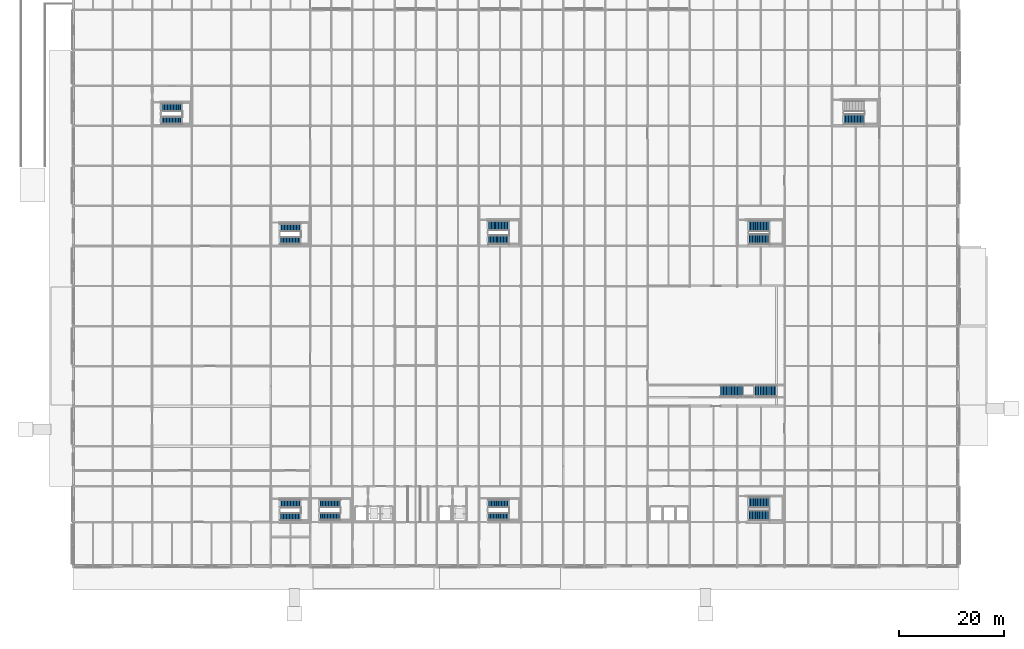
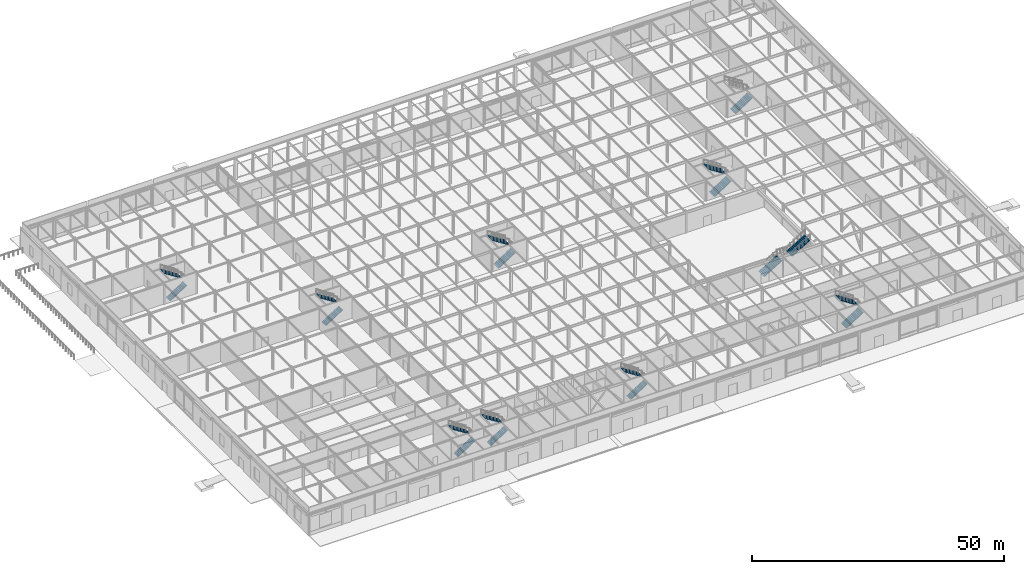
# One storey, part 73 of 89: 19 stair flights, 10 elements without a shape of their own.
"""IFC4 building model written with IfcOpenShell, lengths in metres."""

from ifc_helpers import new_model, si_unit, direction, frame, origin, place, context, subcontext, project, spatial, polyline, outline, extrude, material, type_object, element, aggregate, save


model = new_model("IFC4")

# Units and contexts
model_context = context("Model", 3, precision=1e-05, world=origin(), true_north=direction((0.0, 1.0)))
body_context = subcontext(model_context, "Body", "Model", "MODEL_VIEW")
ifc_project = project(units=[si_unit("LENGTHUNIT", "METRE"), si_unit("AREAUNIT", "SQUARE_METRE"), si_unit("VOLUMEUNIT", "CUBIC_METRE"), si_unit("PLANEANGLEUNIT", "RADIAN"), si_unit("MASSUNIT", "GRAM", prefix="KILO")], contexts=[model_context])

# Site, building, storey
site_placement = place(None, origin())
site = spatial("IfcSite", under=ifc_project, at=site_placement, CompositionType="ELEMENT")
building_placement = place(site_placement, origin())
building = spatial("IfcBuilding", under=site, at=building_placement, Name="Shalkamar Park Central Library", CompositionType="ELEMENT")
storey_placement = place(building_placement, origin())
storey = spatial("IfcBuildingStorey", under=building, at=storey_placement, Name="L01", CompositionType="ELEMENT", Elevation=0.0)

# Stair, stair flights
ifc_material = material(Name="Concrete C35/45", Category="concrete")
stair_type_1 = type_object("IfcStairType", Name="Protected Dog Leg Stair 150x540", PredefinedType="TWO_STRAIGHT_RUN_STAIR", material=ifc_material)
stair_1_placement = place(storey_placement, origin())
stair_1 = element("IfcStair", 1, at=stair_1_placement, inside=storey, type_object=stair_type_1, Name="Protected Core Stair ST-T1-L01", PredefinedType="TWO_STRAIGHT_RUN_STAIR")
stair_flight_type_1 = type_object("IfcStairFlightType", Name="Straight Stair Flight 150x540", PredefinedType="STRAIGHT", material=ifc_material)
stair_flight_1_placement = place(storey_placement, frame((166.6201171875, 249.389892578125, 0.0), z_axis=(0.0, 0.0, 1.0), x_axis=(1.0, 0.0, 0.0)))
stair_flight_1 = element("IfcStairFlight", 2, at=stair_flight_1_placement, type_object=stair_flight_type_1, Name="ST-T1-L01 flight 1", NumberOfRisers=15, NumberOfTreads=14, PredefinedType="STRAIGHT", RiserHeight=0.18, TreadLength=0.28, context=body_context, shape_type="SweptSolid", body=[
    extrude(outline(polyline([(0.0, 0.0), (0.0, 0.179931640625), (0.280029296875, 0.179931640625), (0.280029296875, 0.360107421875), (0.56005859375, 0.360107421875), (0.56005859375, 0.5400390625), (0.840087890625, 0.5400390625), (0.840087890625, 0.719970703125), (1.1201171875, 0.719970703125), (1.1201171875, 0.89990234375), (1.39990234375, 0.89990234375), (1.39990234375, 1.080078125), (1.679931640625, 1.080078125), (1.679931640625, 1.260009765625), (1.9599609375, 1.260009765625), (1.9599609375, 1.43994140625), (2.239990234375, 1.43994140625), (2.239990234375, 1.6201171875), (2.52001953125, 1.6201171875), (2.52001953125, 1.800048828125), (2.800048828125, 1.800048828125), (2.800048828125, 1.97998046875), (3.080078125, 1.97998046875), (3.080078125, 2.159912109375), (3.360107421875, 2.159912109375), (3.360107421875, 2.340087890625), (3.639892578125, 2.340087890625), (3.639892578125, 2.52001953125), (3.919921875, 2.52001953125), (3.919921875, 2.699951171875), (3.919921875, 2.341796875), (0.277099609375, 0.0), (0.0, 0.0)])), frame((0.0, 0.75, 0.0), z_axis=(0.0, -1.0, 0.0), x_axis=(1.0, 0.0, 0.0)), (0.0, 0.0, 1.0), 1.5),
])
stair_flight_2_placement = place(storey_placement, frame((170.719970703125, 251.909912109375, 2.699951171875), z_axis=(0.0, 0.0, 1.0), x_axis=(-1.0, 0.0, 0.0)))
stair_flight_2 = element("IfcStairFlight", 3, at=stair_flight_2_placement, type_object=stair_flight_type_1, Name="ST-T1-L01 flight 2", NumberOfRisers=15, NumberOfTreads=14, PredefinedType="STRAIGHT", RiserHeight=0.18, TreadLength=0.28, context=body_context, shape_type="SweptSolid", body=[
    extrude(outline(polyline([(0.0, 0.0), (0.0, 0.179931640625), (0.280029296875, 0.179931640625), (0.280029296875, 0.360107421875), (0.56005859375, 0.360107421875), (0.56005859375, 0.5400390625), (0.840087890625, 0.5400390625), (0.840087890625, 0.719970703125), (1.1201171875, 0.719970703125), (1.1201171875, 0.89990234375), (1.39990234375, 0.89990234375), (1.39990234375, 1.080078125), (1.679931640625, 1.080078125), (1.679931640625, 1.260009765625), (1.9599609375, 1.260009765625), (1.9599609375, 1.43994140625), (2.239990234375, 1.43994140625), (2.239990234375, 1.6201171875), (2.52001953125, 1.6201171875), (2.52001953125, 1.800048828125), (2.800048828125, 1.800048828125), (2.800048828125, 1.97998046875), (3.080078125, 1.97998046875), (3.080078125, 2.159912109375), (3.360107421875, 2.159912109375), (3.360107421875, 2.340087890625), (3.639892578125, 2.340087890625), (3.639892578125, 2.52001953125), (3.919921875, 2.52001953125), (3.919921875, 2.699951171875), (3.919921875, 2.341796875), (0.277099609375, 0.0), (0.0, 0.0)])), frame((0.0, 0.75, 0.0), z_axis=(0.0, -1.0, 0.0), x_axis=(1.0, 0.0, 0.0)), (0.0, 0.0, 1.0), 1.5),
])
aggregate(stair_1, [stair_flight_1, stair_flight_2])

stair_2_placement = place(storey_placement, origin())
stair_2 = element("IfcStair", 4, at=stair_2_placement, inside=storey, type_object=stair_type_1, Name="Protected Core Stair ST-T2-L01", PredefinedType="TWO_STRAIGHT_RUN_STAIR")
stair_flight_3_placement = place(storey_placement, frame((198.6201171875, 249.389892578125, 0.0), z_axis=(0.0, 0.0, 1.0), x_axis=(1.0, 0.0, 0.0)))
stair_flight_3 = element("IfcStairFlight", 5, at=stair_flight_3_placement, type_object=stair_flight_type_1, Name="ST-T2-L01 flight 1", NumberOfRisers=15, NumberOfTreads=14, PredefinedType="STRAIGHT", RiserHeight=0.18, TreadLength=0.28, context=body_context, shape_type="SweptSolid", body=[
    extrude(outline(polyline([(0.0, 0.0), (0.0, 0.179931640625), (0.280029296875, 0.179931640625), (0.280029296875, 0.360107421875), (0.56005859375, 0.360107421875), (0.56005859375, 0.5400390625), (0.840087890625, 0.5400390625), (0.840087890625, 0.719970703125), (1.1201171875, 0.719970703125), (1.1201171875, 0.89990234375), (1.39990234375, 0.89990234375), (1.39990234375, 1.080078125), (1.679931640625, 1.080078125), (1.679931640625, 1.260009765625), (1.9599609375, 1.260009765625), (1.9599609375, 1.43994140625), (2.239990234375, 1.43994140625), (2.239990234375, 1.6201171875), (2.52001953125, 1.6201171875), (2.52001953125, 1.800048828125), (2.800048828125, 1.800048828125), (2.800048828125, 1.97998046875), (3.080078125, 1.97998046875), (3.080078125, 2.159912109375), (3.360107421875, 2.159912109375), (3.360107421875, 2.340087890625), (3.639892578125, 2.340087890625), (3.639892578125, 2.52001953125), (3.919921875, 2.52001953125), (3.919921875, 2.699951171875), (3.919921875, 2.341796875), (0.277099609375, 0.0), (0.0, 0.0)])), frame((0.0, 0.75, 0.0), z_axis=(0.0, -1.0, 0.0), x_axis=(1.0, 0.0, 0.0)), (0.0, 0.0, 1.0), 1.5),
])
stair_flight_4_placement = place(storey_placement, frame((202.719970703125, 251.909912109375, 2.699951171875), z_axis=(0.0, 0.0, 1.0), x_axis=(-1.0, 0.0, 0.0)))
stair_flight_4 = element("IfcStairFlight", 6, at=stair_flight_4_placement, type_object=stair_flight_type_1, Name="ST-T2-L01 flight 2", NumberOfRisers=15, NumberOfTreads=14, PredefinedType="STRAIGHT", RiserHeight=0.18, TreadLength=0.28, context=body_context, shape_type="SweptSolid", body=[
    extrude(outline(polyline([(0.0, 0.0), (0.0, 0.179931640625), (0.280029296875, 0.179931640625), (0.280029296875, 0.360107421875), (0.56005859375, 0.360107421875), (0.56005859375, 0.5400390625), (0.840087890625, 0.5400390625), (0.840087890625, 0.719970703125), (1.1201171875, 0.719970703125), (1.1201171875, 0.89990234375), (1.39990234375, 0.89990234375), (1.39990234375, 1.080078125), (1.679931640625, 1.080078125), (1.679931640625, 1.260009765625), (1.9599609375, 1.260009765625), (1.9599609375, 1.43994140625), (2.239990234375, 1.43994140625), (2.239990234375, 1.6201171875), (2.52001953125, 1.6201171875), (2.52001953125, 1.800048828125), (2.800048828125, 1.800048828125), (2.800048828125, 1.97998046875), (3.080078125, 1.97998046875), (3.080078125, 2.159912109375), (3.360107421875, 2.159912109375), (3.360107421875, 2.340087890625), (3.639892578125, 2.340087890625), (3.639892578125, 2.52001953125), (3.919921875, 2.52001953125), (3.919921875, 2.699951171875), (3.919921875, 2.341796875), (0.277099609375, 0.0), (0.0, 0.0)])), frame((0.0, 0.75, 0.0), z_axis=(0.0, -1.0, 0.0), x_axis=(1.0, 0.0, 0.0)), (0.0, 0.0, 1.0), 1.5),
])
aggregate(stair_2, [stair_flight_3, stair_flight_4])

stair_3_placement = place(storey_placement, origin())
stair_3 = element("IfcStair", 7, at=stair_3_placement, inside=storey, type_object=stair_type_1, Name="Protected Core Stair ST-P1-L01", PredefinedType="TWO_STRAIGHT_RUN_STAIR")
stair_flight_5_placement = place(storey_placement, frame((159.094970703125, 249.364990234375, 0.0), z_axis=(0.0, 0.0, 1.0), x_axis=(1.0, 0.0, 0.0)))
stair_flight_5 = element("IfcStairFlight", 8, at=stair_flight_5_placement, type_object=stair_flight_type_1, Name="ST-P1-L01 flight 1", NumberOfRisers=15, NumberOfTreads=14, PredefinedType="STRAIGHT", RiserHeight=0.18, TreadLength=0.28, context=body_context, shape_type="SweptSolid", body=[
    extrude(outline(polyline([(0.0, 0.0), (0.0, 0.179931640625), (0.280029296875, 0.179931640625), (0.280029296875, 0.360107421875), (0.56005859375, 0.360107421875), (0.56005859375, 0.5400390625), (0.840087890625, 0.5400390625), (0.840087890625, 0.719970703125), (1.1201171875, 0.719970703125), (1.1201171875, 0.89990234375), (1.39990234375, 0.89990234375), (1.39990234375, 1.080078125), (1.679931640625, 1.080078125), (1.679931640625, 1.260009765625), (1.9599609375, 1.260009765625), (1.9599609375, 1.43994140625), (2.239990234375, 1.43994140625), (2.239990234375, 1.6201171875), (2.52001953125, 1.6201171875), (2.52001953125, 1.800048828125), (2.800048828125, 1.800048828125), (2.800048828125, 1.97998046875), (3.080078125, 1.97998046875), (3.080078125, 2.159912109375), (3.360107421875, 2.159912109375), (3.360107421875, 2.340087890625), (3.639892578125, 2.340087890625), (3.639892578125, 2.52001953125), (3.919921875, 2.52001953125), (3.919921875, 2.699951171875), (3.919921875, 2.341796875), (0.277099609375, 0.0), (0.0, 0.0)])), frame((0.0, 0.75, 0.0), z_axis=(0.0, -1.0, 0.0), x_axis=(1.0, 0.0, 0.0)), (0.0, 0.0, 1.0), 1.5),
])
stair_flight_6_placement = place(storey_placement, frame((163.195068359375, 251.885009765625, 2.699951171875), z_axis=(0.0, 0.0, 1.0), x_axis=(-1.0, 0.0, 0.0)))
stair_flight_6 = element("IfcStairFlight", 9, at=stair_flight_6_placement, type_object=stair_flight_type_1, Name="ST-P1-L01 flight 2", NumberOfRisers=15, NumberOfTreads=14, PredefinedType="STRAIGHT", RiserHeight=0.18, TreadLength=0.28, context=body_context, shape_type="SweptSolid", body=[
    extrude(outline(polyline([(0.0, 0.0), (0.0, 0.179931640625), (0.280029296875, 0.179931640625), (0.280029296875, 0.360107421875), (0.56005859375, 0.360107421875), (0.56005859375, 0.5400390625), (0.840087890625, 0.5400390625), (0.840087890625, 0.719970703125), (1.1201171875, 0.719970703125), (1.1201171875, 0.89990234375), (1.39990234375, 0.89990234375), (1.39990234375, 1.080078125), (1.679931640625, 1.080078125), (1.679931640625, 1.260009765625), (1.9599609375, 1.260009765625), (1.9599609375, 1.43994140625), (2.239990234375, 1.43994140625), (2.239990234375, 1.6201171875), (2.52001953125, 1.6201171875), (2.52001953125, 1.800048828125), (2.800048828125, 1.800048828125), (2.800048828125, 1.97998046875), (3.080078125, 1.97998046875), (3.080078125, 2.159912109375), (3.360107421875, 2.159912109375), (3.360107421875, 2.340087890625), (3.639892578125, 2.340087890625), (3.639892578125, 2.52001953125), (3.919921875, 2.52001953125), (3.919921875, 2.699951171875), (3.919921875, 2.341796875), (0.277099609375, 0.0), (0.0, 0.0)])), frame((0.0, 0.75, 0.0), z_axis=(0.0, -1.0, 0.0), x_axis=(1.0, 0.0, 0.0)), (0.0, 0.0, 1.0), 1.5),
])
aggregate(stair_3, [stair_flight_5, stair_flight_6])

stair_4_placement = place(storey_placement, origin())
stair_4 = element("IfcStair", 10, at=stair_4_placement, inside=storey, type_object=stair_type_1, Name="Protected Core Stair ST-P2-L01", PredefinedType="TWO_STRAIGHT_RUN_STAIR")
stair_flight_7_placement = place(storey_placement, frame((159.094970703125, 301.764892578125, 0.0), z_axis=(0.0, 0.0, 1.0), x_axis=(1.0, 0.0, 0.0)))
stair_flight_7 = element("IfcStairFlight", 11, at=stair_flight_7_placement, type_object=stair_flight_type_1, Name="ST-P2-L01 flight 1", NumberOfRisers=15, NumberOfTreads=14, PredefinedType="STRAIGHT", RiserHeight=0.18, TreadLength=0.28, context=body_context, shape_type="SweptSolid", body=[
    extrude(outline(polyline([(0.0, 0.0), (0.0, 0.179931640625), (0.280029296875, 0.179931640625), (0.280029296875, 0.360107421875), (0.56005859375, 0.360107421875), (0.56005859375, 0.5400390625), (0.840087890625, 0.5400390625), (0.840087890625, 0.719970703125), (1.1201171875, 0.719970703125), (1.1201171875, 0.89990234375), (1.39990234375, 0.89990234375), (1.39990234375, 1.080078125), (1.679931640625, 1.080078125), (1.679931640625, 1.260009765625), (1.9599609375, 1.260009765625), (1.9599609375, 1.43994140625), (2.239990234375, 1.43994140625), (2.239990234375, 1.6201171875), (2.52001953125, 1.6201171875), (2.52001953125, 1.800048828125), (2.800048828125, 1.800048828125), (2.800048828125, 1.97998046875), (3.080078125, 1.97998046875), (3.080078125, 2.159912109375), (3.360107421875, 2.159912109375), (3.360107421875, 2.340087890625), (3.639892578125, 2.340087890625), (3.639892578125, 2.52001953125), (3.919921875, 2.52001953125), (3.919921875, 2.699951171875), (3.919921875, 2.341796875), (0.277099609375, 0.0), (0.0, 0.0)])), frame((0.0, 0.75, 0.0), z_axis=(0.0, -1.0, 0.0), x_axis=(1.0, 0.0, 0.0)), (0.0, 0.0, 1.0), 1.5),
])
stair_flight_8_placement = place(storey_placement, frame((163.195068359375, 304.284912109375, 2.699951171875), z_axis=(0.0, 0.0, 1.0), x_axis=(-1.0, 0.0, 0.0)))
stair_flight_8 = element("IfcStairFlight", 12, at=stair_flight_8_placement, type_object=stair_flight_type_1, Name="ST-P2-L01 flight 2", NumberOfRisers=15, NumberOfTreads=14, PredefinedType="STRAIGHT", RiserHeight=0.18, TreadLength=0.28, context=body_context, shape_type="SweptSolid", body=[
    extrude(outline(polyline([(0.0, 0.0), (0.0, 0.179931640625), (0.280029296875, 0.179931640625), (0.280029296875, 0.360107421875), (0.56005859375, 0.360107421875), (0.56005859375, 0.5400390625), (0.840087890625, 0.5400390625), (0.840087890625, 0.719970703125), (1.1201171875, 0.719970703125), (1.1201171875, 0.89990234375), (1.39990234375, 0.89990234375), (1.39990234375, 1.080078125), (1.679931640625, 1.080078125), (1.679931640625, 1.260009765625), (1.9599609375, 1.260009765625), (1.9599609375, 1.43994140625), (2.239990234375, 1.43994140625), (2.239990234375, 1.6201171875), (2.52001953125, 1.6201171875), (2.52001953125, 1.800048828125), (2.800048828125, 1.800048828125), (2.800048828125, 1.97998046875), (3.080078125, 1.97998046875), (3.080078125, 2.159912109375), (3.360107421875, 2.159912109375), (3.360107421875, 2.340087890625), (3.639892578125, 2.340087890625), (3.639892578125, 2.52001953125), (3.919921875, 2.52001953125), (3.919921875, 2.699951171875), (3.919921875, 2.341796875), (0.277099609375, 0.0), (0.0, 0.0)])), frame((0.0, 0.75, 0.0), z_axis=(0.0, -1.0, 0.0), x_axis=(1.0, 0.0, 0.0)), (0.0, 0.0, 1.0), 1.5),
])
aggregate(stair_4, [stair_flight_7, stair_flight_8])

stair_5_placement = place(storey_placement, origin())
stair_5 = element("IfcStair", 13, at=stair_5_placement, inside=storey, type_object=stair_type_1, Name="Protected Core Stair ST-P5-L01", PredefinedType="TWO_STRAIGHT_RUN_STAIR")
stair_flight_9_placement = place(storey_placement, frame((136.594970703125, 324.56494140625, 0.0), z_axis=(0.0, 0.0, 1.0), x_axis=(1.0, 0.0, 0.0)))
stair_flight_9 = element("IfcStairFlight", 14, at=stair_flight_9_placement, type_object=stair_flight_type_1, Name="ST-P5-L01 flight 1", NumberOfRisers=15, NumberOfTreads=14, PredefinedType="STRAIGHT", RiserHeight=0.18, TreadLength=0.28, context=body_context, shape_type="SweptSolid", body=[
    extrude(outline(polyline([(0.0, 0.0), (0.0, 0.179931640625), (0.280029296875, 0.179931640625), (0.280029296875, 0.360107421875), (0.56005859375, 0.360107421875), (0.56005859375, 0.5400390625), (0.840087890625, 0.5400390625), (0.840087890625, 0.719970703125), (1.1201171875, 0.719970703125), (1.1201171875, 0.89990234375), (1.39990234375, 0.89990234375), (1.39990234375, 1.080078125), (1.679931640625, 1.080078125), (1.679931640625, 1.260009765625), (1.9599609375, 1.260009765625), (1.9599609375, 1.43994140625), (2.239990234375, 1.43994140625), (2.239990234375, 1.6201171875), (2.52001953125, 1.6201171875), (2.52001953125, 1.800048828125), (2.800048828125, 1.800048828125), (2.800048828125, 1.97998046875), (3.080078125, 1.97998046875), (3.080078125, 2.159912109375), (3.360107421875, 2.159912109375), (3.360107421875, 2.340087890625), (3.639892578125, 2.340087890625), (3.639892578125, 2.52001953125), (3.919921875, 2.52001953125), (3.919921875, 2.699951171875), (3.919921875, 2.341796875), (0.277099609375, 0.0), (0.0, 0.0)])), frame((0.0, 0.75, 0.0), z_axis=(0.0, -1.0, 0.0), x_axis=(1.0, 0.0, 0.0)), (0.0, 0.0, 1.0), 1.5),
])
stair_flight_10_placement = place(storey_placement, frame((140.695068359375, 327.0849609375, 2.699951171875), z_axis=(0.0, 0.0, 1.0), x_axis=(-1.0, 0.0, 0.0)))
stair_flight_10 = element("IfcStairFlight", 15, at=stair_flight_10_placement, type_object=stair_flight_type_1, Name="ST-P5-L01 flight 2", NumberOfRisers=15, NumberOfTreads=14, PredefinedType="STRAIGHT", RiserHeight=0.18, TreadLength=0.28, context=body_context, shape_type="SweptSolid", body=[
    extrude(outline(polyline([(0.0, 0.0), (0.0, 0.179931640625), (0.280029296875, 0.179931640625), (0.280029296875, 0.360107421875), (0.56005859375, 0.360107421875), (0.56005859375, 0.5400390625), (0.840087890625, 0.5400390625), (0.840087890625, 0.719970703125), (1.1201171875, 0.719970703125), (1.1201171875, 0.89990234375), (1.39990234375, 0.89990234375), (1.39990234375, 1.080078125), (1.679931640625, 1.080078125), (1.679931640625, 1.260009765625), (1.9599609375, 1.260009765625), (1.9599609375, 1.43994140625), (2.239990234375, 1.43994140625), (2.239990234375, 1.6201171875), (2.52001953125, 1.6201171875), (2.52001953125, 1.800048828125), (2.800048828125, 1.800048828125), (2.800048828125, 1.97998046875), (3.080078125, 1.97998046875), (3.080078125, 2.159912109375), (3.360107421875, 2.159912109375), (3.360107421875, 2.340087890625), (3.639892578125, 2.340087890625), (3.639892578125, 2.52001953125), (3.919921875, 2.52001953125), (3.919921875, 2.699951171875), (3.919921875, 2.341796875), (0.277099609375, 0.0), (0.0, 0.0)])), frame((0.0, 0.75, 0.0), z_axis=(0.0, -1.0, 0.0), x_axis=(1.0, 0.0, 0.0)), (0.0, 0.0, 1.0), 1.5),
])
aggregate(stair_5, [stair_flight_9, stair_flight_10])

stair_type_2 = type_object("IfcStairType", Name="Protected Dog Leg Stair 180x540", PredefinedType="TWO_STRAIGHT_RUN_STAIR", material=ifc_material)
stair_6_placement = place(storey_placement, origin())
stair_6 = element("IfcStair", 16, at=stair_6_placement, inside=storey, type_object=stair_type_2, Name="Protected Core Stair ST-P7-L01", PredefinedType="TWO_STRAIGHT_RUN_STAIR")
stair_flight_type_2 = type_object("IfcStairFlightType", Name="Straight Stair Flight 180x540", PredefinedType="STRAIGHT", material=ifc_material)
stair_flight_11_placement = place(storey_placement, frame((198.614990234375, 301.9150390625, 0.0), z_axis=(0.0, 0.0, 1.0), x_axis=(1.0, 0.0, 0.0)))
stair_flight_11 = element("IfcStairFlight", 17, at=stair_flight_11_placement, type_object=stair_flight_type_2, Name="ST-P7-L01 flight 1", NumberOfRisers=15, NumberOfTreads=14, PredefinedType="STRAIGHT", RiserHeight=0.18, TreadLength=0.28, context=body_context, shape_type="SweptSolid", body=[
    extrude(outline(polyline([(0.0, 0.0), (0.0, 0.179931640625), (0.280029296875, 0.179931640625), (0.280029296875, 0.360107421875), (0.56005859375, 0.360107421875), (0.56005859375, 0.5400390625), (0.840087890625, 0.5400390625), (0.840087890625, 0.719970703125), (1.1201171875, 0.719970703125), (1.1201171875, 0.89990234375), (1.39990234375, 0.89990234375), (1.39990234375, 1.080078125), (1.679931640625, 1.080078125), (1.679931640625, 1.260009765625), (1.9599609375, 1.260009765625), (1.9599609375, 1.43994140625), (2.239990234375, 1.43994140625), (2.239990234375, 1.6201171875), (2.52001953125, 1.6201171875), (2.52001953125, 1.800048828125), (2.800048828125, 1.800048828125), (2.800048828125, 1.97998046875), (3.080078125, 1.97998046875), (3.080078125, 2.159912109375), (3.360107421875, 2.159912109375), (3.360107421875, 2.340087890625), (3.639892578125, 2.340087890625), (3.639892578125, 2.52001953125), (3.919921875, 2.52001953125), (3.919921875, 2.699951171875), (3.919921875, 2.341796875), (0.277099609375, 0.0), (0.0, 0.0)])), frame((0.0, 0.89990234375, 0.0), z_axis=(0.0, -1.0, 0.0), x_axis=(1.0, 0.0, 0.0)), (0.0, 0.0, 1.0), 1.800048828125),
])
stair_flight_12_placement = place(storey_placement, frame((202.715087890625, 304.635009765625, 2.699951171875), z_axis=(0.0, 0.0, 1.0), x_axis=(-1.0, 0.0, 0.0)))
stair_flight_12 = element("IfcStairFlight", 18, at=stair_flight_12_placement, type_object=stair_flight_type_2, Name="ST-P7-L01 flight 2", NumberOfRisers=15, NumberOfTreads=14, PredefinedType="STRAIGHT", RiserHeight=0.18, TreadLength=0.28, context=body_context, shape_type="SweptSolid", body=[
    extrude(outline(polyline([(0.0, 0.0), (0.0, 0.179931640625), (0.280029296875, 0.179931640625), (0.280029296875, 0.360107421875), (0.56005859375, 0.360107421875), (0.56005859375, 0.5400390625), (0.840087890625, 0.5400390625), (0.840087890625, 0.719970703125), (1.1201171875, 0.719970703125), (1.1201171875, 0.89990234375), (1.39990234375, 0.89990234375), (1.39990234375, 1.080078125), (1.679931640625, 1.080078125), (1.679931640625, 1.260009765625), (1.9599609375, 1.260009765625), (1.9599609375, 1.43994140625), (2.239990234375, 1.43994140625), (2.239990234375, 1.6201171875), (2.52001953125, 1.6201171875), (2.52001953125, 1.800048828125), (2.800048828125, 1.800048828125), (2.800048828125, 1.97998046875), (3.080078125, 1.97998046875), (3.080078125, 2.159912109375), (3.360107421875, 2.159912109375), (3.360107421875, 2.340087890625), (3.639892578125, 2.340087890625), (3.639892578125, 2.52001953125), (3.919921875, 2.52001953125), (3.919921875, 2.699951171875), (3.919921875, 2.341796875), (0.277099609375, 0.0), (0.0, 0.0)])), frame((0.0, 0.89990234375, 0.0), z_axis=(0.0, -1.0, 0.0), x_axis=(1.0, 0.0, 0.0)), (0.0, 0.0, 1.0), 1.800048828125),
])
aggregate(stair_6, [stair_flight_11, stair_flight_12])

stair_type_3 = type_object("IfcStairType", Name="Protected Dog Leg Stair 200x540", PredefinedType="TWO_STRAIGHT_RUN_STAIR", material=ifc_material)
stair_7_placement = place(storey_placement, origin())
stair_7 = element("IfcStair", 19, at=stair_7_placement, inside=storey, type_object=stair_type_3, Name="Protected Core Stair ST-P3-L01", PredefinedType="TWO_STRAIGHT_RUN_STAIR")
stair_flight_type_3 = type_object("IfcStairFlightType", Name="Straight Stair Flight 200x540", PredefinedType="STRAIGHT", material=ifc_material)
stair_flight_13_placement = place(storey_placement, frame((248.044921875, 249.614990234375, 0.0), z_axis=(0.0, 0.0, 1.0), x_axis=(1.0, 0.0, 0.0)))
stair_flight_13 = element("IfcStairFlight", 20, at=stair_flight_13_placement, type_object=stair_flight_type_3, Name="ST-P3-L01 flight 1", NumberOfRisers=15, NumberOfTreads=14, PredefinedType="STRAIGHT", RiserHeight=0.18, TreadLength=0.28, context=body_context, shape_type="SweptSolid", body=[
    extrude(outline(polyline([(0.0, 0.0), (0.0, 0.179931640625), (0.280029296875, 0.179931640625), (0.280029296875, 0.360107421875), (0.56005859375, 0.360107421875), (0.56005859375, 0.5400390625), (0.840087890625, 0.5400390625), (0.840087890625, 0.719970703125), (1.1201171875, 0.719970703125), (1.1201171875, 0.89990234375), (1.39990234375, 0.89990234375), (1.39990234375, 1.080078125), (1.679931640625, 1.080078125), (1.679931640625, 1.260009765625), (1.9599609375, 1.260009765625), (1.9599609375, 1.43994140625), (2.239990234375, 1.43994140625), (2.239990234375, 1.6201171875), (2.52001953125, 1.6201171875), (2.52001953125, 1.800048828125), (2.800048828125, 1.800048828125), (2.800048828125, 1.97998046875), (3.080078125, 1.97998046875), (3.080078125, 2.159912109375), (3.360107421875, 2.159912109375), (3.360107421875, 2.340087890625), (3.639892578125, 2.340087890625), (3.639892578125, 2.52001953125), (3.919921875, 2.52001953125), (3.919921875, 2.699951171875), (3.919921875, 2.341796875), (0.277099609375, 0.0), (0.0, 0.0)])), frame((0.0, 1.0, 0.0), z_axis=(0.0, -1.0, 0.0), x_axis=(1.0, 0.0, 0.0)), (0.0, 0.0, 1.0), 2.0),
])
stair_flight_14_placement = place(storey_placement, frame((252.14501953125, 252.135009765625, 2.699951171875), z_axis=(0.0, 0.0, 1.0), x_axis=(-1.0, 0.0, 0.0)))
stair_flight_14 = element("IfcStairFlight", 21, at=stair_flight_14_placement, type_object=stair_flight_type_3, Name="ST-P3-L01 flight 2", NumberOfRisers=15, NumberOfTreads=14, PredefinedType="STRAIGHT", RiserHeight=0.18, TreadLength=0.28, context=body_context, shape_type="SweptSolid", body=[
    extrude(outline(polyline([(0.0, 0.0), (0.0, 0.179931640625), (0.280029296875, 0.179931640625), (0.280029296875, 0.360107421875), (0.56005859375, 0.360107421875), (0.56005859375, 0.5400390625), (0.840087890625, 0.5400390625), (0.840087890625, 0.719970703125), (1.1201171875, 0.719970703125), (1.1201171875, 0.89990234375), (1.39990234375, 0.89990234375), (1.39990234375, 1.080078125), (1.679931640625, 1.080078125), (1.679931640625, 1.260009765625), (1.9599609375, 1.260009765625), (1.9599609375, 1.43994140625), (2.239990234375, 1.43994140625), (2.239990234375, 1.6201171875), (2.52001953125, 1.6201171875), (2.52001953125, 1.800048828125), (2.800048828125, 1.800048828125), (2.800048828125, 1.97998046875), (3.080078125, 1.97998046875), (3.080078125, 2.159912109375), (3.360107421875, 2.159912109375), (3.360107421875, 2.340087890625), (3.639892578125, 2.340087890625), (3.639892578125, 2.52001953125), (3.919921875, 2.52001953125), (3.919921875, 2.699951171875), (3.919921875, 2.341796875), (0.277099609375, 0.0), (0.0, 0.0)])), frame((0.0, 1.0, 0.0), z_axis=(0.0, -1.0, 0.0), x_axis=(1.0, 0.0, 0.0)), (0.0, 0.0, 1.0), 2.0),
])
aggregate(stair_7, [stair_flight_13, stair_flight_14])

stair_8_placement = place(storey_placement, origin())
stair_8 = element("IfcStair", 22, at=stair_8_placement, inside=storey, type_object=stair_type_3, Name="Protected Core Stair ST-P4-L01", PredefinedType="TWO_STRAIGHT_RUN_STAIR")
stair_flight_15_placement = place(storey_placement, frame((248.044921875, 302.014892578125, 0.0), z_axis=(0.0, 0.0, 1.0), x_axis=(1.0, 0.0, 0.0)))
stair_flight_15 = element("IfcStairFlight", 23, at=stair_flight_15_placement, type_object=stair_flight_type_3, Name="ST-P4-L01 flight 1", NumberOfRisers=15, NumberOfTreads=14, PredefinedType="STRAIGHT", RiserHeight=0.18, TreadLength=0.28, context=body_context, shape_type="SweptSolid", body=[
    extrude(outline(polyline([(0.0, 0.0), (0.0, 0.179931640625), (0.280029296875, 0.179931640625), (0.280029296875, 0.360107421875), (0.56005859375, 0.360107421875), (0.56005859375, 0.5400390625), (0.840087890625, 0.5400390625), (0.840087890625, 0.719970703125), (1.1201171875, 0.719970703125), (1.1201171875, 0.89990234375), (1.39990234375, 0.89990234375), (1.39990234375, 1.080078125), (1.679931640625, 1.080078125), (1.679931640625, 1.260009765625), (1.9599609375, 1.260009765625), (1.9599609375, 1.43994140625), (2.239990234375, 1.43994140625), (2.239990234375, 1.6201171875), (2.52001953125, 1.6201171875), (2.52001953125, 1.800048828125), (2.800048828125, 1.800048828125), (2.800048828125, 1.97998046875), (3.080078125, 1.97998046875), (3.080078125, 2.159912109375), (3.360107421875, 2.159912109375), (3.360107421875, 2.340087890625), (3.639892578125, 2.340087890625), (3.639892578125, 2.52001953125), (3.919921875, 2.52001953125), (3.919921875, 2.699951171875), (3.919921875, 2.341796875), (0.277099609375, 0.0), (0.0, 0.0)])), frame((0.0, 1.0, 0.0), z_axis=(0.0, -1.0, 0.0), x_axis=(1.0, 0.0, 0.0)), (0.0, 0.0, 1.0), 2.0),
])
stair_flight_16_placement = place(storey_placement, frame((252.14501953125, 304.534912109375, 2.699951171875), z_axis=(0.0, 0.0, 1.0), x_axis=(-1.0, 0.0, 0.0)))
stair_flight_16 = element("IfcStairFlight", 24, at=stair_flight_16_placement, type_object=stair_flight_type_3, Name="ST-P4-L01 flight 2", NumberOfRisers=15, NumberOfTreads=14, PredefinedType="STRAIGHT", RiserHeight=0.18, TreadLength=0.28, context=body_context, shape_type="SweptSolid", body=[
    extrude(outline(polyline([(0.0, 0.0), (0.0, 0.179931640625), (0.280029296875, 0.179931640625), (0.280029296875, 0.360107421875), (0.56005859375, 0.360107421875), (0.56005859375, 0.5400390625), (0.840087890625, 0.5400390625), (0.840087890625, 0.719970703125), (1.1201171875, 0.719970703125), (1.1201171875, 0.89990234375), (1.39990234375, 0.89990234375), (1.39990234375, 1.080078125), (1.679931640625, 1.080078125), (1.679931640625, 1.260009765625), (1.9599609375, 1.260009765625), (1.9599609375, 1.43994140625), (2.239990234375, 1.43994140625), (2.239990234375, 1.6201171875), (2.52001953125, 1.6201171875), (2.52001953125, 1.800048828125), (2.800048828125, 1.800048828125), (2.800048828125, 1.97998046875), (3.080078125, 1.97998046875), (3.080078125, 2.159912109375), (3.360107421875, 2.159912109375), (3.360107421875, 2.340087890625), (3.639892578125, 2.340087890625), (3.639892578125, 2.52001953125), (3.919921875, 2.52001953125), (3.919921875, 2.699951171875), (3.919921875, 2.341796875), (0.277099609375, 0.0), (0.0, 0.0)])), frame((0.0, 1.0, 0.0), z_axis=(0.0, -1.0, 0.0), x_axis=(1.0, 0.0, 0.0)), (0.0, 0.0, 1.0), 2.0),
])
aggregate(stair_8, [stair_flight_15, stair_flight_16])

# Stair, stair flight
stair_9_placement = place(storey_placement, origin())
stair_9 = element("IfcStair", 25, at=stair_9_placement, inside=storey, type_object=stair_type_3, Name="Protected Core Stair ST-P6-L01", PredefinedType="TWO_STRAIGHT_RUN_STAIR")
stair_flight_17_placement = place(storey_placement, frame((266.044921875, 324.81494140625, 0.0), z_axis=(0.0, 0.0, 1.0), x_axis=(1.0, 0.0, 0.0)))
stair_flight_17 = element("IfcStairFlight", 26, at=stair_flight_17_placement, type_object=stair_flight_type_3, Name="ST-P6-L01 flight 1", NumberOfRisers=15, NumberOfTreads=14, PredefinedType="STRAIGHT", RiserHeight=0.18, TreadLength=0.28, context=body_context, shape_type="SweptSolid", body=[
    extrude(outline(polyline([(0.0, 0.0), (0.0, 0.179931640625), (0.280029296875, 0.179931640625), (0.280029296875, 0.360107421875), (0.56005859375, 0.360107421875), (0.56005859375, 0.5400390625), (0.840087890625, 0.5400390625), (0.840087890625, 0.719970703125), (1.1201171875, 0.719970703125), (1.1201171875, 0.89990234375), (1.39990234375, 0.89990234375), (1.39990234375, 1.080078125), (1.679931640625, 1.080078125), (1.679931640625, 1.260009765625), (1.9599609375, 1.260009765625), (1.9599609375, 1.43994140625), (2.239990234375, 1.43994140625), (2.239990234375, 1.6201171875), (2.52001953125, 1.6201171875), (2.52001953125, 1.800048828125), (2.800048828125, 1.800048828125), (2.800048828125, 1.97998046875), (3.080078125, 1.97998046875), (3.080078125, 2.159912109375), (3.360107421875, 2.159912109375), (3.360107421875, 2.340087890625), (3.639892578125, 2.340087890625), (3.639892578125, 2.52001953125), (3.919921875, 2.52001953125), (3.919921875, 2.699951171875), (3.919921875, 2.341796875), (0.277099609375, 0.0), (0.0, 0.0)])), frame((0.0, 1.0, 0.0), z_axis=(0.0, -1.0, 0.0), x_axis=(1.0, 0.0, 0.0)), (0.0, 0.0, 1.0), 2.0),
])
aggregate(stair_9, [stair_flight_17])

# Stair, stair flights
stair_type_4 = type_object("IfcStairType", Name="Monumental Stair 210x540", PredefinedType="STRAIGHT_RUN_STAIR", material=ifc_material)
stair_10_placement = place(storey_placement, origin())
stair_10 = element("IfcStair", 27, at=stair_10_placement, inside=storey, type_object=stair_type_4, Name="Monumental Atrium Reading Stair ST-A1 (L01-L02)", PredefinedType="STRAIGHT_RUN_STAIR")
stair_flight_type_4 = type_object("IfcStairFlightType", Name="Straight Stair Flight 210x540", PredefinedType="STRAIGHT", material=ifc_material)
stair_flight_18_placement = place(storey_placement, frame((242.800048828125, 273.25, 0.0), z_axis=(0.0, 0.0, 1.0), x_axis=(1.0, 0.0, 0.0)))
stair_flight_18 = element("IfcStairFlight", 28, at=stair_flight_18_placement, type_object=stair_flight_type_4, Name="ST-A1-L01 flight 1", NumberOfRisers=15, NumberOfTreads=14, PredefinedType="STRAIGHT", RiserHeight=0.18, TreadLength=0.3, context=body_context, shape_type="SweptSolid", body=[
    extrude(outline(polyline([(0.0, 0.0), (0.0, 0.179931640625), (0.300048828125, 0.179931640625), (0.300048828125, 0.360107421875), (0.60009765625, 0.360107421875), (0.60009765625, 0.5400390625), (0.89990234375, 0.5400390625), (0.89990234375, 0.719970703125), (1.199951171875, 0.719970703125), (1.199951171875, 0.89990234375), (1.5, 0.89990234375), (1.5, 1.080078125), (1.800048828125, 1.080078125), (1.800048828125, 1.260009765625), (2.10009765625, 1.260009765625), (2.10009765625, 1.43994140625), (2.39990234375, 1.43994140625), (2.39990234375, 1.6201171875), (2.699951171875, 1.6201171875), (2.699951171875, 1.800048828125), (3.0, 1.800048828125), (3.0, 1.97998046875), (3.300048828125, 1.97998046875), (3.300048828125, 2.159912109375), (3.60009765625, 2.159912109375), (3.60009765625, 2.340087890625), (3.89990234375, 2.340087890625), (3.89990234375, 2.52001953125), (4.199951171875, 2.52001953125), (4.199951171875, 2.699951171875), (4.199951171875, 2.33349609375), (0.310791015625, 0.0), (0.0, 0.0)])), frame((0.0, 1.050048828125, 0.0), z_axis=(0.0, -1.0, 0.0), x_axis=(1.0, 0.0, 0.0)), (0.0, 0.0, 1.0), 2.10009765625),
])
stair_flight_19_placement = place(storey_placement, frame((249.199951171875, 273.25, 2.699951171875), z_axis=(0.0, 0.0, 1.0), x_axis=(1.0, 0.0, 0.0)))
stair_flight_19 = element("IfcStairFlight", 29, at=stair_flight_19_placement, type_object=stair_flight_type_4, Name="ST-A1-L01 flight 2", NumberOfRisers=15, NumberOfTreads=14, PredefinedType="STRAIGHT", RiserHeight=0.18, TreadLength=0.3, context=body_context, shape_type="SweptSolid", body=[
    extrude(outline(polyline([(0.0, 0.0), (0.0, 0.179931640625), (0.300048828125, 0.179931640625), (0.300048828125, 0.360107421875), (0.60009765625, 0.360107421875), (0.60009765625, 0.5400390625), (0.89990234375, 0.5400390625), (0.89990234375, 0.719970703125), (1.199951171875, 0.719970703125), (1.199951171875, 0.89990234375), (1.5, 0.89990234375), (1.5, 1.080078125), (1.800048828125, 1.080078125), (1.800048828125, 1.260009765625), (2.10009765625, 1.260009765625), (2.10009765625, 1.43994140625), (2.39990234375, 1.43994140625), (2.39990234375, 1.6201171875), (2.699951171875, 1.6201171875), (2.699951171875, 1.800048828125), (3.0, 1.800048828125), (3.0, 1.97998046875), (3.300048828125, 1.97998046875), (3.300048828125, 2.159912109375), (3.60009765625, 2.159912109375), (3.60009765625, 2.340087890625), (3.89990234375, 2.340087890625), (3.89990234375, 2.52001953125), (4.199951171875, 2.52001953125), (4.199951171875, 2.699951171875), (4.199951171875, 2.33349609375), (0.310791015625, 0.0), (0.0, 0.0)])), frame((0.0, 1.050048828125, 0.0), z_axis=(0.0, -1.0, 0.0), x_axis=(1.0, 0.0, 0.0)), (0.0, 0.0, 1.0), 2.10009765625),
])
aggregate(stair_10, [stair_flight_18, stair_flight_19])

save(model, "model.ifc")
